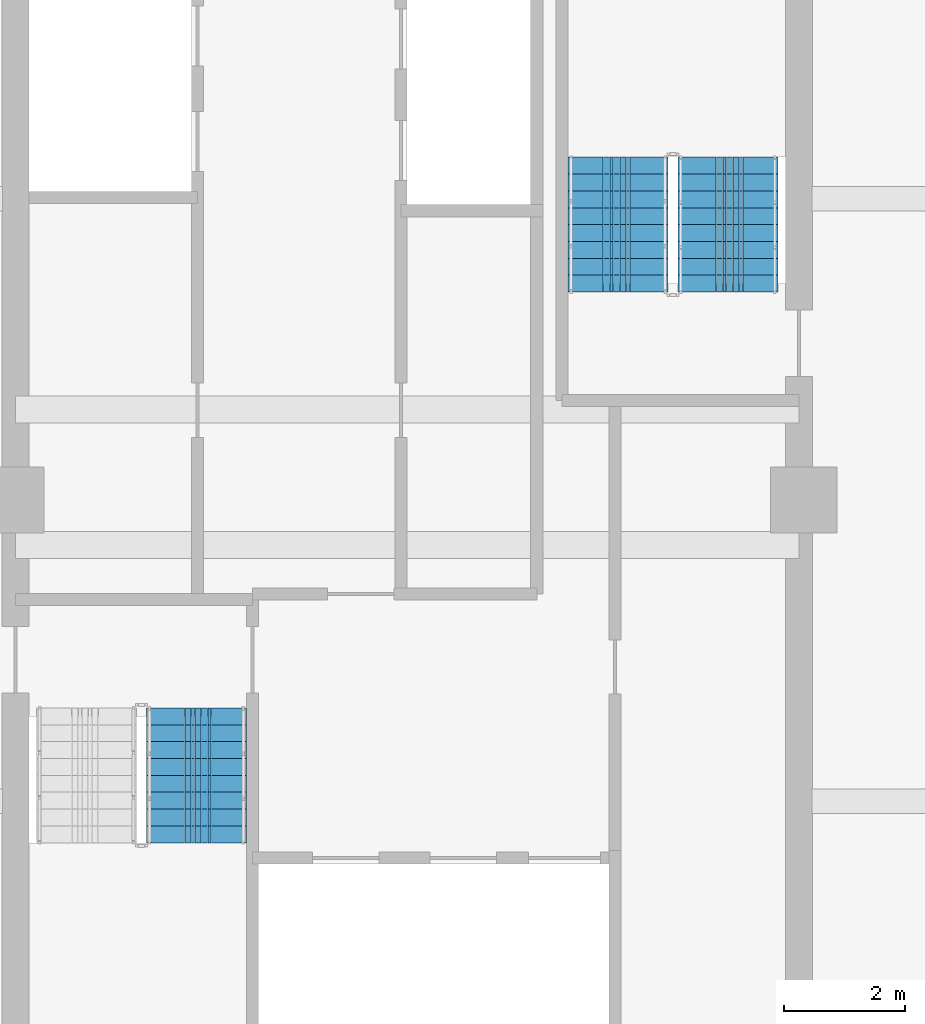
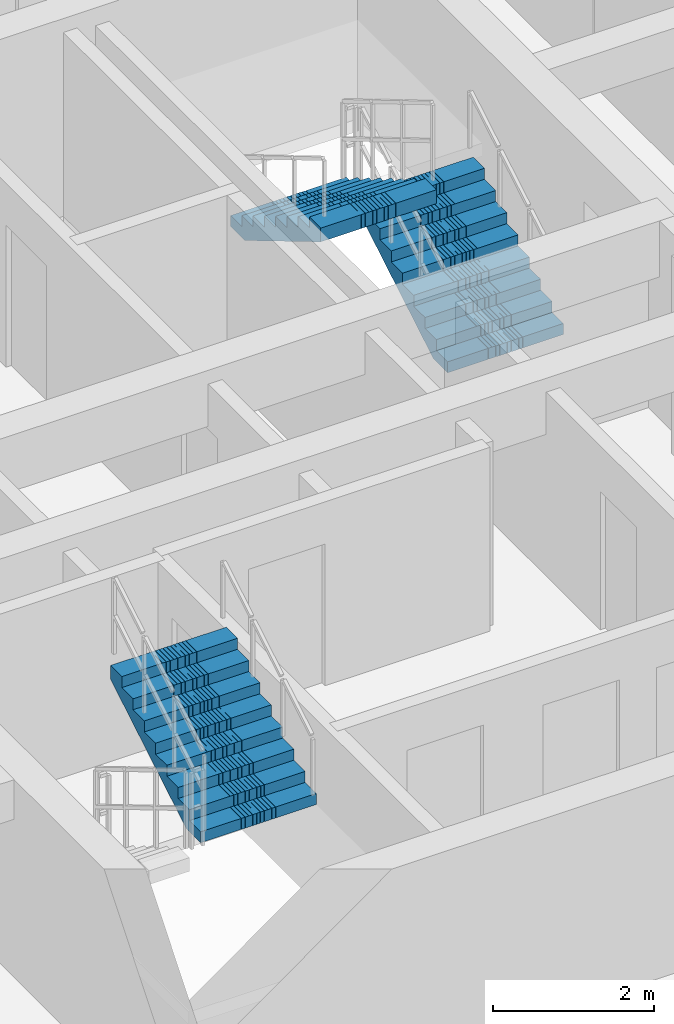
# One storey, part 16 of 21: 3 stair flights, 2 elements without a shape of their own.
"""IFC4 building model written with IfcOpenShell, lengths in metres."""

from ifc_helpers import new_model, si_unit, direction, frame, origin, place, context, subcontext, project, spatial, polyline, outline, extrude, material, type_object, element, aggregate, save


model = new_model("IFC4")

# Units and contexts
model_context = context("Model", 3, precision=1e-05, world=origin(), true_north=direction((0.0, 1.0)))
body_context = subcontext(model_context, "Body", "Model", "MODEL_VIEW")
ifc_project = project(units=[si_unit("LENGTHUNIT", "METRE"), si_unit("AREAUNIT", "SQUARE_METRE"), si_unit("VOLUMEUNIT", "CUBIC_METRE"), si_unit("PLANEANGLEUNIT", "RADIAN"), si_unit("MASSUNIT", "GRAM", prefix="KILO")], contexts=[model_context])

# Site, building, storey
site_placement = place(None, origin())
site = spatial("IfcSite", under=ifc_project, at=site_placement, CompositionType="ELEMENT")
building_placement = place(site_placement, origin())
building = spatial("IfcBuilding", under=site, at=building_placement, Name="Saelheon Loggia Tower", CompositionType="ELEMENT")
storey_placement = place(building_placement, frame((0.0, 0.0, 186.699951171875)))
storey = spatial("IfcBuildingStorey", under=building, at=storey_placement, Name="L58", CompositionType="ELEMENT", Elevation=186.699951171875)

# Stair, stair flight
ifc_material = material(Name="Concrete C40/50", Category="concrete")
stair_type = type_object("IfcStairType", Name="Stair_Escape_Core", PredefinedType="HALF_TURN_STAIR", material=ifc_material)
stair_1_placement = place(storey_placement, origin())
stair_1 = element("IfcStair", 1, at=stair_1_placement, inside=storey, type_object=stair_type, Name="L58 Special Escape Stair ST1", PredefinedType="HALF_TURN_STAIR")
stair_flight_type = type_object("IfcStairFlightType", Name="StairFlight_Tower_1660", PredefinedType="STRAIGHT", material=ifc_material)
stair_flight_1_placement = place(storey_placement, frame((34.5, 21.31005859375, 1.5), z_axis=(0.0, 0.0, 1.0), x_axis=(0.0, 1.0, 0.0)))
stair_flight_1 = element("IfcStairFlight", 2, at=stair_flight_1_placement, type_object=stair_flight_type, Name="ST1 flight 2", NumberOfRisers=9, NumberOfTreads=8, PredefinedType="STRAIGHT", RiserHeight=0.166666667, TreadLength=0.28, context=body_context, shape_type="SweptSolid", body=[
    extrude(outline(polyline([(0.0, 0.0), (0.0, 0.166748046875), (0.280029296875, 0.166748046875), (0.280029296875, 0.333251953125), (0.56005859375, 0.333251953125), (0.56005859375, 0.5), (0.840087890625, 0.5), (0.840087890625, 0.666748046875), (1.1201171875, 0.666748046875), (1.1201171875, 0.833251953125), (1.39990234375, 0.833251953125), (1.39990234375, 1.0), (1.679931640625, 1.0), (1.679931640625, 1.166748046875), (1.9599609375, 1.166748046875), (1.9599609375, 1.333251953125), (2.239990234375, 1.333251953125), (2.239990234375, 1.5), (2.239990234375, 1.1240234375), (0.351806640625, 0.0), (0.0, 0.0)])), frame((0.0, -0.2490234375, 0.0), z_axis=(0.0, -1.0, 0.0), x_axis=(1.0, 0.0, 0.0)), (0.0, 0.0, 1.0), 0.5810546875),
    extrude(outline(polyline([(0.0, 0.0), (0.0, 0.166748046875), (0.280029296875, 0.166748046875), (0.280029296875, 0.333251953125), (0.56005859375, 0.333251953125), (0.56005859375, 0.5), (0.840087890625, 0.5), (0.840087890625, 0.666748046875), (1.1201171875, 0.666748046875), (1.1201171875, 0.833251953125), (1.39990234375, 0.833251953125), (1.39990234375, 1.0), (1.679931640625, 1.0), (1.679931640625, 1.166748046875), (1.9599609375, 1.166748046875), (1.9599609375, 1.333251953125), (2.239990234375, 1.333251953125), (2.239990234375, 1.5), (2.239990234375, 1.1240234375), (0.351806640625, 0.0), (0.0, 0.0)])), frame((0.0, -0.194091796875, 0.0), z_axis=(0.0, -1.0, 0.0), x_axis=(1.0, 0.0, 0.0)), (0.0, 0.0, 1.0), 0.0498046875),
    extrude(outline(polyline([(0.0, 0.0), (0.0, 0.166748046875), (0.280029296875, 0.166748046875), (0.280029296875, 0.333251953125), (0.56005859375, 0.333251953125), (0.56005859375, 0.5), (0.840087890625, 0.5), (0.840087890625, 0.666748046875), (1.1201171875, 0.666748046875), (1.1201171875, 0.833251953125), (1.39990234375, 0.833251953125), (1.39990234375, 1.0), (1.679931640625, 1.0), (1.679931640625, 1.166748046875), (1.9599609375, 1.166748046875), (1.9599609375, 1.333251953125), (2.239990234375, 1.333251953125), (2.239990234375, 1.5), (2.239990234375, 1.1240234375), (0.351806640625, 0.0), (0.0, 0.0)])), frame((0.0, -0.139404296875, 0.0), z_axis=(0.0, -1.0, 0.0), x_axis=(1.0, 0.0, 0.0)), (0.0, 0.0, 1.0), 0.0498046875),
    extrude(outline(polyline([(0.0, 0.0), (0.0, 0.166748046875), (0.280029296875, 0.166748046875), (0.280029296875, 0.333251953125), (0.56005859375, 0.333251953125), (0.56005859375, 0.5), (0.840087890625, 0.5), (0.840087890625, 0.666748046875), (1.1201171875, 0.666748046875), (1.1201171875, 0.833251953125), (1.39990234375, 0.833251953125), (1.39990234375, 1.0), (1.679931640625, 1.0), (1.679931640625, 1.166748046875), (1.9599609375, 1.166748046875), (1.9599609375, 1.333251953125), (2.239990234375, 1.333251953125), (2.239990234375, 1.5), (2.239990234375, 1.1240234375), (0.351806640625, 0.0), (0.0, 0.0)])), frame((0.0, -0.084716796875, 0.0), z_axis=(0.0, -1.0, 0.0), x_axis=(1.0, 0.0, 0.0)), (0.0, 0.0, 1.0), 0.0498046875),
    extrude(outline(polyline([(0.0, 0.0), (0.0, 0.166748046875), (0.280029296875, 0.166748046875), (0.280029296875, 0.333251953125), (0.56005859375, 0.333251953125), (0.56005859375, 0.5), (0.840087890625, 0.5), (0.840087890625, 0.666748046875), (1.1201171875, 0.666748046875), (1.1201171875, 0.833251953125), (1.39990234375, 0.833251953125), (1.39990234375, 1.0), (1.679931640625, 1.0), (1.679931640625, 1.166748046875), (1.9599609375, 1.166748046875), (1.9599609375, 1.333251953125), (2.239990234375, 1.333251953125), (2.239990234375, 1.5), (2.239990234375, 1.1240234375), (0.351806640625, 0.0), (0.0, 0.0)])), frame((0.0, -0.02978515625, 0.0), z_axis=(0.0, -1.0, 0.0), x_axis=(1.0, 0.0, 0.0)), (0.0, 0.0, 1.0), 0.0498046875),
    extrude(outline(polyline([(0.0, 0.0), (0.0, 0.166748046875), (0.280029296875, 0.166748046875), (0.280029296875, 0.333251953125), (0.56005859375, 0.333251953125), (0.56005859375, 0.5), (0.840087890625, 0.5), (0.840087890625, 0.666748046875), (1.1201171875, 0.666748046875), (1.1201171875, 0.833251953125), (1.39990234375, 0.833251953125), (1.39990234375, 1.0), (1.679931640625, 1.0), (1.679931640625, 1.166748046875), (1.9599609375, 1.166748046875), (1.9599609375, 1.333251953125), (2.239990234375, 1.333251953125), (2.239990234375, 1.5), (2.239990234375, 1.1240234375), (0.351806640625, 0.0), (0.0, 0.0)])), frame((0.0, 0.02490234375, 0.0), z_axis=(0.0, -1.0, 0.0), x_axis=(1.0, 0.0, 0.0)), (0.0, 0.0, 1.0), 0.0498046875),
    extrude(outline(polyline([(0.0, 0.0), (0.0, 0.166748046875), (0.280029296875, 0.166748046875), (0.280029296875, 0.333251953125), (0.56005859375, 0.333251953125), (0.56005859375, 0.5), (0.840087890625, 0.5), (0.840087890625, 0.666748046875), (1.1201171875, 0.666748046875), (1.1201171875, 0.833251953125), (1.39990234375, 0.833251953125), (1.39990234375, 1.0), (1.679931640625, 1.0), (1.679931640625, 1.166748046875), (1.9599609375, 1.166748046875), (1.9599609375, 1.333251953125), (2.239990234375, 1.333251953125), (2.239990234375, 1.5), (2.239990234375, 1.1240234375), (0.351806640625, 0.0), (0.0, 0.0)])), frame((0.0, 0.07958984375, 0.0), z_axis=(0.0, -1.0, 0.0), x_axis=(1.0, 0.0, 0.0)), (0.0, 0.0, 1.0), 0.0498046875),
    extrude(outline(polyline([(0.0, 0.0), (0.0, 0.166748046875), (0.280029296875, 0.166748046875), (0.280029296875, 0.333251953125), (0.56005859375, 0.333251953125), (0.56005859375, 0.5), (0.840087890625, 0.5), (0.840087890625, 0.666748046875), (1.1201171875, 0.666748046875), (1.1201171875, 0.833251953125), (1.39990234375, 0.833251953125), (1.39990234375, 1.0), (1.679931640625, 1.0), (1.679931640625, 1.166748046875), (1.9599609375, 1.166748046875), (1.9599609375, 1.333251953125), (2.239990234375, 1.333251953125), (2.239990234375, 1.5), (2.239990234375, 1.1240234375), (0.351806640625, 0.0), (0.0, 0.0)])), frame((0.0, 0.134521484375, 0.0), z_axis=(0.0, -1.0, 0.0), x_axis=(1.0, 0.0, 0.0)), (0.0, 0.0, 1.0), 0.0498046875),
    extrude(outline(polyline([(0.0, 0.0), (0.0, 0.166748046875), (0.280029296875, 0.166748046875), (0.280029296875, 0.333251953125), (0.56005859375, 0.333251953125), (0.56005859375, 0.5), (0.840087890625, 0.5), (0.840087890625, 0.666748046875), (1.1201171875, 0.666748046875), (1.1201171875, 0.833251953125), (1.39990234375, 0.833251953125), (1.39990234375, 1.0), (1.679931640625, 1.0), (1.679931640625, 1.166748046875), (1.9599609375, 1.166748046875), (1.9599609375, 1.333251953125), (2.239990234375, 1.333251953125), (2.239990234375, 1.5), (2.239990234375, 1.1240234375), (0.351806640625, 0.0), (0.0, 0.0)])), frame((0.0, 0.189208984375, 0.0), z_axis=(0.0, -1.0, 0.0), x_axis=(1.0, 0.0, 0.0)), (0.0, 0.0, 1.0), 0.0498046875),
    extrude(outline(polyline([(0.0, 0.0), (0.0, 0.166748046875), (0.280029296875, 0.166748046875), (0.280029296875, 0.333251953125), (0.56005859375, 0.333251953125), (0.56005859375, 0.5), (0.840087890625, 0.5), (0.840087890625, 0.666748046875), (1.1201171875, 0.666748046875), (1.1201171875, 0.833251953125), (1.39990234375, 0.833251953125), (1.39990234375, 1.0), (1.679931640625, 1.0), (1.679931640625, 1.166748046875), (1.9599609375, 1.166748046875), (1.9599609375, 1.333251953125), (2.239990234375, 1.333251953125), (2.239990234375, 1.5), (2.239990234375, 1.1240234375), (0.351806640625, 0.0), (0.0, 0.0)])), frame((0.0, 0.243896484375, 0.0), z_axis=(0.0, -1.0, 0.0), x_axis=(1.0, 0.0, 0.0)), (0.0, 0.0, 1.0), 0.0498046875),
    extrude(outline(polyline([(0.0, 0.0), (0.0, 0.166748046875), (0.280029296875, 0.166748046875), (0.280029296875, 0.333251953125), (0.56005859375, 0.333251953125), (0.56005859375, 0.5), (0.840087890625, 0.5), (0.840087890625, 0.666748046875), (1.1201171875, 0.666748046875), (1.1201171875, 0.833251953125), (1.39990234375, 0.833251953125), (1.39990234375, 1.0), (1.679931640625, 1.0), (1.679931640625, 1.166748046875), (1.9599609375, 1.166748046875), (1.9599609375, 1.333251953125), (2.239990234375, 1.333251953125), (2.239990234375, 1.5), (2.239990234375, 1.1240234375), (0.351806640625, 0.0), (0.0, 0.0)])), frame((0.0, 0.830078125, 0.0), z_axis=(0.0, -1.0, 0.0), x_axis=(1.0, 0.0, 0.0)), (0.0, 0.0, 1.0), 0.5810546875),
])
aggregate(stair_1, [stair_flight_1])

# Stair, stair flights
stair_2_placement = place(storey_placement, origin())
stair_2 = element("IfcStair", 3, at=stair_2_placement, inside=storey, type_object=stair_type, Name="L58 Special Escape Stair ST2", PredefinedType="HALF_TURN_STAIR")
stair_flight_2_placement = place(storey_placement, frame((43.320068359375, 30.449951171875, 0.0), z_axis=(0.0, 0.0, 1.0), x_axis=(0.0, 1.0, 0.0)))
stair_flight_2 = element("IfcStairFlight", 4, at=stair_flight_2_placement, type_object=stair_flight_type, Name="ST2 flight 1", NumberOfRisers=9, NumberOfTreads=8, PredefinedType="STRAIGHT", RiserHeight=0.166666667, TreadLength=0.28, context=body_context, shape_type="SweptSolid", body=[
    extrude(outline(polyline([(0.0, 0.0), (0.0, 0.166748046875), (0.280029296875, 0.166748046875), (0.280029296875, 0.333251953125), (0.56005859375, 0.333251953125), (0.56005859375, 0.5), (0.840087890625, 0.5), (0.840087890625, 0.666748046875), (1.1201171875, 0.666748046875), (1.1201171875, 0.833251953125), (1.39990234375, 0.833251953125), (1.39990234375, 1.0), (1.679931640625, 1.0), (1.679931640625, 1.166748046875), (1.9599609375, 1.166748046875), (1.9599609375, 1.333251953125), (2.239990234375, 1.333251953125), (2.239990234375, 1.5), (2.239990234375, 1.1240234375), (0.351806640625, 0.0), (0.0, 0.0)])), frame((0.0, -0.2490234375, 0.0), z_axis=(0.0, -1.0, 0.0), x_axis=(1.0, 0.0, 0.0)), (0.0, 0.0, 1.0), 0.5810546875),
    extrude(outline(polyline([(0.0, 0.0), (0.0, 0.166748046875), (0.280029296875, 0.166748046875), (0.280029296875, 0.333251953125), (0.56005859375, 0.333251953125), (0.56005859375, 0.5), (0.840087890625, 0.5), (0.840087890625, 0.666748046875), (1.1201171875, 0.666748046875), (1.1201171875, 0.833251953125), (1.39990234375, 0.833251953125), (1.39990234375, 1.0), (1.679931640625, 1.0), (1.679931640625, 1.166748046875), (1.9599609375, 1.166748046875), (1.9599609375, 1.333251953125), (2.239990234375, 1.333251953125), (2.239990234375, 1.5), (2.239990234375, 1.1240234375), (0.351806640625, 0.0), (0.0, 0.0)])), frame((0.0, -0.194091796875, 0.0), z_axis=(0.0, -1.0, 0.0), x_axis=(1.0, 0.0, 0.0)), (0.0, 0.0, 1.0), 0.0498046875),
    extrude(outline(polyline([(0.0, 0.0), (0.0, 0.166748046875), (0.280029296875, 0.166748046875), (0.280029296875, 0.333251953125), (0.56005859375, 0.333251953125), (0.56005859375, 0.5), (0.840087890625, 0.5), (0.840087890625, 0.666748046875), (1.1201171875, 0.666748046875), (1.1201171875, 0.833251953125), (1.39990234375, 0.833251953125), (1.39990234375, 1.0), (1.679931640625, 1.0), (1.679931640625, 1.166748046875), (1.9599609375, 1.166748046875), (1.9599609375, 1.333251953125), (2.239990234375, 1.333251953125), (2.239990234375, 1.5), (2.239990234375, 1.1240234375), (0.351806640625, 0.0), (0.0, 0.0)])), frame((0.0, -0.139404296875, 0.0), z_axis=(0.0, -1.0, 0.0), x_axis=(1.0, 0.0, 0.0)), (0.0, 0.0, 1.0), 0.0498046875),
    extrude(outline(polyline([(0.0, 0.0), (0.0, 0.166748046875), (0.280029296875, 0.166748046875), (0.280029296875, 0.333251953125), (0.56005859375, 0.333251953125), (0.56005859375, 0.5), (0.840087890625, 0.5), (0.840087890625, 0.666748046875), (1.1201171875, 0.666748046875), (1.1201171875, 0.833251953125), (1.39990234375, 0.833251953125), (1.39990234375, 1.0), (1.679931640625, 1.0), (1.679931640625, 1.166748046875), (1.9599609375, 1.166748046875), (1.9599609375, 1.333251953125), (2.239990234375, 1.333251953125), (2.239990234375, 1.5), (2.239990234375, 1.1240234375), (0.351806640625, 0.0), (0.0, 0.0)])), frame((0.0, -0.084716796875, 0.0), z_axis=(0.0, -1.0, 0.0), x_axis=(1.0, 0.0, 0.0)), (0.0, 0.0, 1.0), 0.0498046875),
    extrude(outline(polyline([(0.0, 0.0), (0.0, 0.166748046875), (0.280029296875, 0.166748046875), (0.280029296875, 0.333251953125), (0.56005859375, 0.333251953125), (0.56005859375, 0.5), (0.840087890625, 0.5), (0.840087890625, 0.666748046875), (1.1201171875, 0.666748046875), (1.1201171875, 0.833251953125), (1.39990234375, 0.833251953125), (1.39990234375, 1.0), (1.679931640625, 1.0), (1.679931640625, 1.166748046875), (1.9599609375, 1.166748046875), (1.9599609375, 1.333251953125), (2.239990234375, 1.333251953125), (2.239990234375, 1.5), (2.239990234375, 1.1240234375), (0.351806640625, 0.0), (0.0, 0.0)])), frame((0.0, -0.02978515625, 0.0), z_axis=(0.0, -1.0, 0.0), x_axis=(1.0, 0.0, 0.0)), (0.0, 0.0, 1.0), 0.0498046875),
    extrude(outline(polyline([(0.0, 0.0), (0.0, 0.166748046875), (0.280029296875, 0.166748046875), (0.280029296875, 0.333251953125), (0.56005859375, 0.333251953125), (0.56005859375, 0.5), (0.840087890625, 0.5), (0.840087890625, 0.666748046875), (1.1201171875, 0.666748046875), (1.1201171875, 0.833251953125), (1.39990234375, 0.833251953125), (1.39990234375, 1.0), (1.679931640625, 1.0), (1.679931640625, 1.166748046875), (1.9599609375, 1.166748046875), (1.9599609375, 1.333251953125), (2.239990234375, 1.333251953125), (2.239990234375, 1.5), (2.239990234375, 1.1240234375), (0.351806640625, 0.0), (0.0, 0.0)])), frame((0.0, 0.02490234375, 0.0), z_axis=(0.0, -1.0, 0.0), x_axis=(1.0, 0.0, 0.0)), (0.0, 0.0, 1.0), 0.0498046875),
    extrude(outline(polyline([(0.0, 0.0), (0.0, 0.166748046875), (0.280029296875, 0.166748046875), (0.280029296875, 0.333251953125), (0.56005859375, 0.333251953125), (0.56005859375, 0.5), (0.840087890625, 0.5), (0.840087890625, 0.666748046875), (1.1201171875, 0.666748046875), (1.1201171875, 0.833251953125), (1.39990234375, 0.833251953125), (1.39990234375, 1.0), (1.679931640625, 1.0), (1.679931640625, 1.166748046875), (1.9599609375, 1.166748046875), (1.9599609375, 1.333251953125), (2.239990234375, 1.333251953125), (2.239990234375, 1.5), (2.239990234375, 1.1240234375), (0.351806640625, 0.0), (0.0, 0.0)])), frame((0.0, 0.07958984375, 0.0), z_axis=(0.0, -1.0, 0.0), x_axis=(1.0, 0.0, 0.0)), (0.0, 0.0, 1.0), 0.0498046875),
    extrude(outline(polyline([(0.0, 0.0), (0.0, 0.166748046875), (0.280029296875, 0.166748046875), (0.280029296875, 0.333251953125), (0.56005859375, 0.333251953125), (0.56005859375, 0.5), (0.840087890625, 0.5), (0.840087890625, 0.666748046875), (1.1201171875, 0.666748046875), (1.1201171875, 0.833251953125), (1.39990234375, 0.833251953125), (1.39990234375, 1.0), (1.679931640625, 1.0), (1.679931640625, 1.166748046875), (1.9599609375, 1.166748046875), (1.9599609375, 1.333251953125), (2.239990234375, 1.333251953125), (2.239990234375, 1.5), (2.239990234375, 1.1240234375), (0.351806640625, 0.0), (0.0, 0.0)])), frame((0.0, 0.134521484375, 0.0), z_axis=(0.0, -1.0, 0.0), x_axis=(1.0, 0.0, 0.0)), (0.0, 0.0, 1.0), 0.0498046875),
    extrude(outline(polyline([(0.0, 0.0), (0.0, 0.166748046875), (0.280029296875, 0.166748046875), (0.280029296875, 0.333251953125), (0.56005859375, 0.333251953125), (0.56005859375, 0.5), (0.840087890625, 0.5), (0.840087890625, 0.666748046875), (1.1201171875, 0.666748046875), (1.1201171875, 0.833251953125), (1.39990234375, 0.833251953125), (1.39990234375, 1.0), (1.679931640625, 1.0), (1.679931640625, 1.166748046875), (1.9599609375, 1.166748046875), (1.9599609375, 1.333251953125), (2.239990234375, 1.333251953125), (2.239990234375, 1.5), (2.239990234375, 1.1240234375), (0.351806640625, 0.0), (0.0, 0.0)])), frame((0.0, 0.189208984375, 0.0), z_axis=(0.0, -1.0, 0.0), x_axis=(1.0, 0.0, 0.0)), (0.0, 0.0, 1.0), 0.0498046875),
    extrude(outline(polyline([(0.0, 0.0), (0.0, 0.166748046875), (0.280029296875, 0.166748046875), (0.280029296875, 0.333251953125), (0.56005859375, 0.333251953125), (0.56005859375, 0.5), (0.840087890625, 0.5), (0.840087890625, 0.666748046875), (1.1201171875, 0.666748046875), (1.1201171875, 0.833251953125), (1.39990234375, 0.833251953125), (1.39990234375, 1.0), (1.679931640625, 1.0), (1.679931640625, 1.166748046875), (1.9599609375, 1.166748046875), (1.9599609375, 1.333251953125), (2.239990234375, 1.333251953125), (2.239990234375, 1.5), (2.239990234375, 1.1240234375), (0.351806640625, 0.0), (0.0, 0.0)])), frame((0.0, 0.243896484375, 0.0), z_axis=(0.0, -1.0, 0.0), x_axis=(1.0, 0.0, 0.0)), (0.0, 0.0, 1.0), 0.0498046875),
    extrude(outline(polyline([(0.0, 0.0), (0.0, 0.166748046875), (0.280029296875, 0.166748046875), (0.280029296875, 0.333251953125), (0.56005859375, 0.333251953125), (0.56005859375, 0.5), (0.840087890625, 0.5), (0.840087890625, 0.666748046875), (1.1201171875, 0.666748046875), (1.1201171875, 0.833251953125), (1.39990234375, 0.833251953125), (1.39990234375, 1.0), (1.679931640625, 1.0), (1.679931640625, 1.166748046875), (1.9599609375, 1.166748046875), (1.9599609375, 1.333251953125), (2.239990234375, 1.333251953125), (2.239990234375, 1.5), (2.239990234375, 1.1240234375), (0.351806640625, 0.0), (0.0, 0.0)])), frame((0.0, 0.830078125, 0.0), z_axis=(0.0, -1.0, 0.0), x_axis=(1.0, 0.0, 0.0)), (0.0, 0.0, 1.0), 0.5810546875),
])
stair_flight_3_placement = place(storey_placement, frame((41.5, 32.68994140625, 1.5), z_axis=(0.0, 0.0, 1.0), x_axis=(0.0, -1.0, 0.0)))
stair_flight_3 = element("IfcStairFlight", 5, at=stair_flight_3_placement, type_object=stair_flight_type, Name="ST2 flight 2", NumberOfRisers=9, NumberOfTreads=8, PredefinedType="STRAIGHT", RiserHeight=0.166666667, TreadLength=0.28, context=body_context, shape_type="SweptSolid", body=[
    extrude(outline(polyline([(0.0, 0.0), (0.0, 0.166748046875), (0.280029296875, 0.166748046875), (0.280029296875, 0.333251953125), (0.56005859375, 0.333251953125), (0.56005859375, 0.5), (0.840087890625, 0.5), (0.840087890625, 0.666748046875), (1.1201171875, 0.666748046875), (1.1201171875, 0.833251953125), (1.39990234375, 0.833251953125), (1.39990234375, 1.0), (1.679931640625, 1.0), (1.679931640625, 1.166748046875), (1.9599609375, 1.166748046875), (1.9599609375, 1.333251953125), (2.239990234375, 1.333251953125), (2.239990234375, 1.5), (2.239990234375, 1.1240234375), (0.351806640625, 0.0), (0.0, 0.0)])), frame((0.0, -0.2490234375, 0.0), z_axis=(0.0, -1.0, 0.0), x_axis=(1.0, 0.0, 0.0)), (0.0, 0.0, 1.0), 0.5810546875),
    extrude(outline(polyline([(0.0, 0.0), (0.0, 0.166748046875), (0.280029296875, 0.166748046875), (0.280029296875, 0.333251953125), (0.56005859375, 0.333251953125), (0.56005859375, 0.5), (0.840087890625, 0.5), (0.840087890625, 0.666748046875), (1.1201171875, 0.666748046875), (1.1201171875, 0.833251953125), (1.39990234375, 0.833251953125), (1.39990234375, 1.0), (1.679931640625, 1.0), (1.679931640625, 1.166748046875), (1.9599609375, 1.166748046875), (1.9599609375, 1.333251953125), (2.239990234375, 1.333251953125), (2.239990234375, 1.5), (2.239990234375, 1.1240234375), (0.351806640625, 0.0), (0.0, 0.0)])), frame((0.0, -0.194091796875, 0.0), z_axis=(0.0, -1.0, 0.0), x_axis=(1.0, 0.0, 0.0)), (0.0, 0.0, 1.0), 0.0498046875),
    extrude(outline(polyline([(0.0, 0.0), (0.0, 0.166748046875), (0.280029296875, 0.166748046875), (0.280029296875, 0.333251953125), (0.56005859375, 0.333251953125), (0.56005859375, 0.5), (0.840087890625, 0.5), (0.840087890625, 0.666748046875), (1.1201171875, 0.666748046875), (1.1201171875, 0.833251953125), (1.39990234375, 0.833251953125), (1.39990234375, 1.0), (1.679931640625, 1.0), (1.679931640625, 1.166748046875), (1.9599609375, 1.166748046875), (1.9599609375, 1.333251953125), (2.239990234375, 1.333251953125), (2.239990234375, 1.5), (2.239990234375, 1.1240234375), (0.351806640625, 0.0), (0.0, 0.0)])), frame((0.0, -0.139404296875, 0.0), z_axis=(0.0, -1.0, 0.0), x_axis=(1.0, 0.0, 0.0)), (0.0, 0.0, 1.0), 0.0498046875),
    extrude(outline(polyline([(0.0, 0.0), (0.0, 0.166748046875), (0.280029296875, 0.166748046875), (0.280029296875, 0.333251953125), (0.56005859375, 0.333251953125), (0.56005859375, 0.5), (0.840087890625, 0.5), (0.840087890625, 0.666748046875), (1.1201171875, 0.666748046875), (1.1201171875, 0.833251953125), (1.39990234375, 0.833251953125), (1.39990234375, 1.0), (1.679931640625, 1.0), (1.679931640625, 1.166748046875), (1.9599609375, 1.166748046875), (1.9599609375, 1.333251953125), (2.239990234375, 1.333251953125), (2.239990234375, 1.5), (2.239990234375, 1.1240234375), (0.351806640625, 0.0), (0.0, 0.0)])), frame((0.0, -0.084716796875, 0.0), z_axis=(0.0, -1.0, 0.0), x_axis=(1.0, 0.0, 0.0)), (0.0, 0.0, 1.0), 0.0498046875),
    extrude(outline(polyline([(0.0, 0.0), (0.0, 0.166748046875), (0.280029296875, 0.166748046875), (0.280029296875, 0.333251953125), (0.56005859375, 0.333251953125), (0.56005859375, 0.5), (0.840087890625, 0.5), (0.840087890625, 0.666748046875), (1.1201171875, 0.666748046875), (1.1201171875, 0.833251953125), (1.39990234375, 0.833251953125), (1.39990234375, 1.0), (1.679931640625, 1.0), (1.679931640625, 1.166748046875), (1.9599609375, 1.166748046875), (1.9599609375, 1.333251953125), (2.239990234375, 1.333251953125), (2.239990234375, 1.5), (2.239990234375, 1.1240234375), (0.351806640625, 0.0), (0.0, 0.0)])), frame((0.0, -0.02978515625, 0.0), z_axis=(0.0, -1.0, 0.0), x_axis=(1.0, 0.0, 0.0)), (0.0, 0.0, 1.0), 0.0498046875),
    extrude(outline(polyline([(0.0, 0.0), (0.0, 0.166748046875), (0.280029296875, 0.166748046875), (0.280029296875, 0.333251953125), (0.56005859375, 0.333251953125), (0.56005859375, 0.5), (0.840087890625, 0.5), (0.840087890625, 0.666748046875), (1.1201171875, 0.666748046875), (1.1201171875, 0.833251953125), (1.39990234375, 0.833251953125), (1.39990234375, 1.0), (1.679931640625, 1.0), (1.679931640625, 1.166748046875), (1.9599609375, 1.166748046875), (1.9599609375, 1.333251953125), (2.239990234375, 1.333251953125), (2.239990234375, 1.5), (2.239990234375, 1.1240234375), (0.351806640625, 0.0), (0.0, 0.0)])), frame((0.0, 0.02490234375, 0.0), z_axis=(0.0, -1.0, 0.0), x_axis=(1.0, 0.0, 0.0)), (0.0, 0.0, 1.0), 0.0498046875),
    extrude(outline(polyline([(0.0, 0.0), (0.0, 0.166748046875), (0.280029296875, 0.166748046875), (0.280029296875, 0.333251953125), (0.56005859375, 0.333251953125), (0.56005859375, 0.5), (0.840087890625, 0.5), (0.840087890625, 0.666748046875), (1.1201171875, 0.666748046875), (1.1201171875, 0.833251953125), (1.39990234375, 0.833251953125), (1.39990234375, 1.0), (1.679931640625, 1.0), (1.679931640625, 1.166748046875), (1.9599609375, 1.166748046875), (1.9599609375, 1.333251953125), (2.239990234375, 1.333251953125), (2.239990234375, 1.5), (2.239990234375, 1.1240234375), (0.351806640625, 0.0), (0.0, 0.0)])), frame((0.0, 0.07958984375, 0.0), z_axis=(0.0, -1.0, 0.0), x_axis=(1.0, 0.0, 0.0)), (0.0, 0.0, 1.0), 0.0498046875),
    extrude(outline(polyline([(0.0, 0.0), (0.0, 0.166748046875), (0.280029296875, 0.166748046875), (0.280029296875, 0.333251953125), (0.56005859375, 0.333251953125), (0.56005859375, 0.5), (0.840087890625, 0.5), (0.840087890625, 0.666748046875), (1.1201171875, 0.666748046875), (1.1201171875, 0.833251953125), (1.39990234375, 0.833251953125), (1.39990234375, 1.0), (1.679931640625, 1.0), (1.679931640625, 1.166748046875), (1.9599609375, 1.166748046875), (1.9599609375, 1.333251953125), (2.239990234375, 1.333251953125), (2.239990234375, 1.5), (2.239990234375, 1.1240234375), (0.351806640625, 0.0), (0.0, 0.0)])), frame((0.0, 0.134521484375, 0.0), z_axis=(0.0, -1.0, 0.0), x_axis=(1.0, 0.0, 0.0)), (0.0, 0.0, 1.0), 0.0498046875),
    extrude(outline(polyline([(0.0, 0.0), (0.0, 0.166748046875), (0.280029296875, 0.166748046875), (0.280029296875, 0.333251953125), (0.56005859375, 0.333251953125), (0.56005859375, 0.5), (0.840087890625, 0.5), (0.840087890625, 0.666748046875), (1.1201171875, 0.666748046875), (1.1201171875, 0.833251953125), (1.39990234375, 0.833251953125), (1.39990234375, 1.0), (1.679931640625, 1.0), (1.679931640625, 1.166748046875), (1.9599609375, 1.166748046875), (1.9599609375, 1.333251953125), (2.239990234375, 1.333251953125), (2.239990234375, 1.5), (2.239990234375, 1.1240234375), (0.351806640625, 0.0), (0.0, 0.0)])), frame((0.0, 0.189208984375, 0.0), z_axis=(0.0, -1.0, 0.0), x_axis=(1.0, 0.0, 0.0)), (0.0, 0.0, 1.0), 0.0498046875),
    extrude(outline(polyline([(0.0, 0.0), (0.0, 0.166748046875), (0.280029296875, 0.166748046875), (0.280029296875, 0.333251953125), (0.56005859375, 0.333251953125), (0.56005859375, 0.5), (0.840087890625, 0.5), (0.840087890625, 0.666748046875), (1.1201171875, 0.666748046875), (1.1201171875, 0.833251953125), (1.39990234375, 0.833251953125), (1.39990234375, 1.0), (1.679931640625, 1.0), (1.679931640625, 1.166748046875), (1.9599609375, 1.166748046875), (1.9599609375, 1.333251953125), (2.239990234375, 1.333251953125), (2.239990234375, 1.5), (2.239990234375, 1.1240234375), (0.351806640625, 0.0), (0.0, 0.0)])), frame((0.0, 0.243896484375, 0.0), z_axis=(0.0, -1.0, 0.0), x_axis=(1.0, 0.0, 0.0)), (0.0, 0.0, 1.0), 0.0498046875),
    extrude(outline(polyline([(0.0, 0.0), (0.0, 0.166748046875), (0.280029296875, 0.166748046875), (0.280029296875, 0.333251953125), (0.56005859375, 0.333251953125), (0.56005859375, 0.5), (0.840087890625, 0.5), (0.840087890625, 0.666748046875), (1.1201171875, 0.666748046875), (1.1201171875, 0.833251953125), (1.39990234375, 0.833251953125), (1.39990234375, 1.0), (1.679931640625, 1.0), (1.679931640625, 1.166748046875), (1.9599609375, 1.166748046875), (1.9599609375, 1.333251953125), (2.239990234375, 1.333251953125), (2.239990234375, 1.5), (2.239990234375, 1.1240234375), (0.351806640625, 0.0), (0.0, 0.0)])), frame((0.0, 0.830078125, 0.0), z_axis=(0.0, -1.0, 0.0), x_axis=(1.0, 0.0, 0.0)), (0.0, 0.0, 1.0), 0.5810546875),
])
aggregate(stair_2, [stair_flight_2, stair_flight_3])

save(model, "model.ifc")
